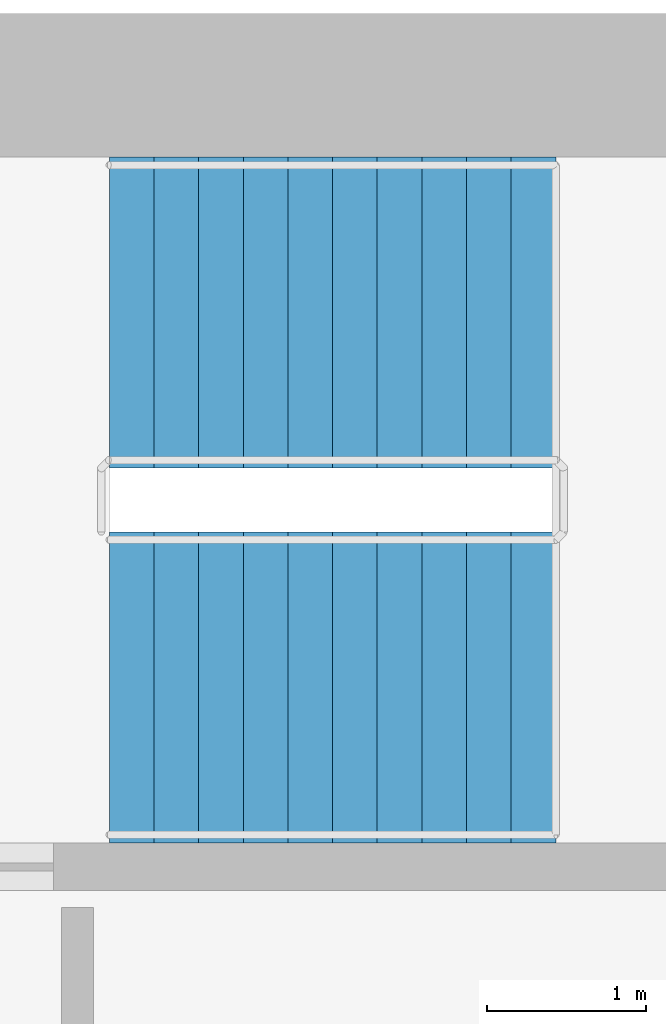
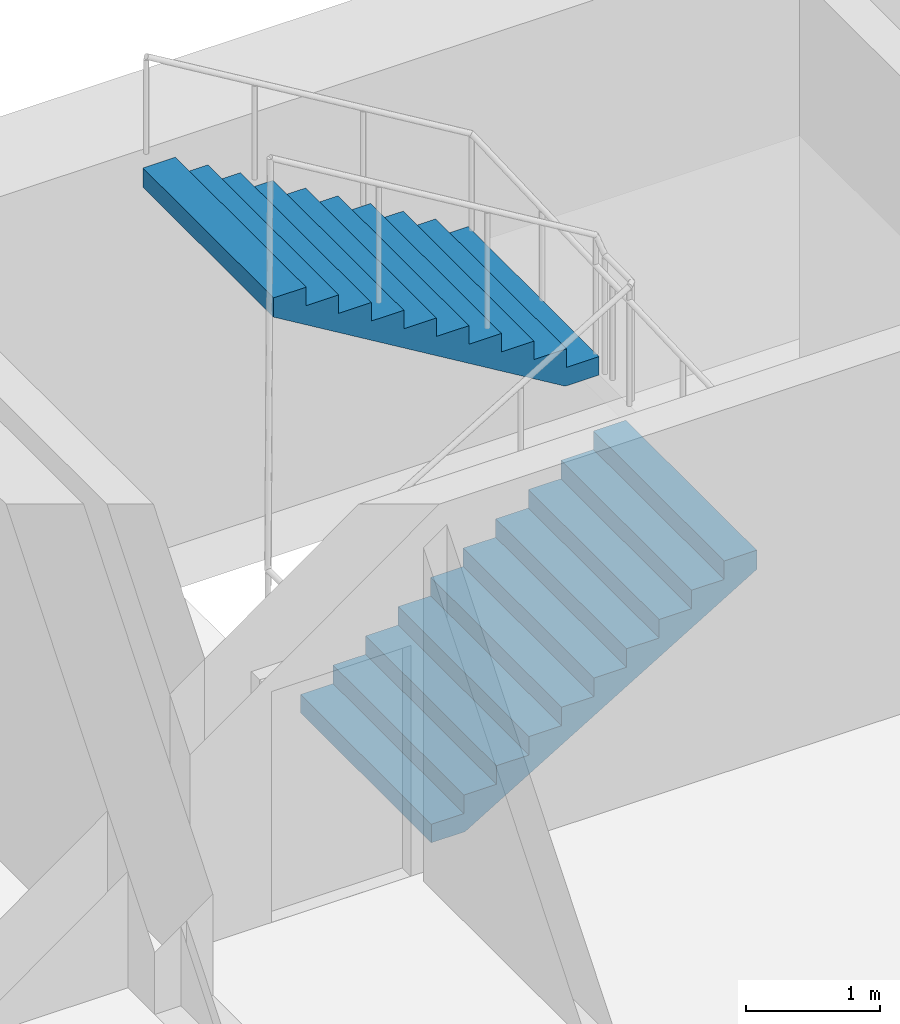
# One storey, part 13 of 17: 2 stair flights, 1 element without a shape of its own.
"""IFC4 building model written with IfcOpenShell, lengths in metres."""

import ifcopenshell
import ifcopenshell.guid

model = None  # the IFC model being written
_history = None  # IfcOwnerHistory: only IFC2X3 demands one
_inside = {}  # id of a spatial element -> (the spatial element, [elements in it])
_under = {}  # id of a project, library or spatial element -> (it, [spatial elements below it])
_declared = {}  # id of a project -> (the project, [libraries it declares])
_typed = {}  # id of a type object -> (the type object, [elements of that type])
_made_of = {}  # id of a material, layer set ... -> (it, [elements and type objects made of it])


def new_model(schema):
    """Start an empty IFC model of exactly this schema.

    Asked for "IFC4X3", IfcOpenShell would pick the latest addendum, in which some entities
    have other attributes; the version numbers below select the first issue.
    IFC2X3 requires an IfcOwnerHistory on every rooted entity: one is made here for all.
    """
    global model, _history
    if schema == "IFC4X3":
        model = ifcopenshell.file(schema_version=(4, 3, 0, 0))
    else:
        model = ifcopenshell.file(schema=schema)
    _inside.clear()
    _under.clear()
    _declared.clear()
    _typed.clear()
    _made_of.clear()
    _history = None
    if model.schema == "IFC2X3":
        org = make("IfcOrganization", Name="unknown")
        user = make(
            "IfcPersonAndOrganization",
            ThePerson=make("IfcPerson", FamilyName="unknown"),
            TheOrganization=org,
        )
        app = make(
            "IfcApplication",
            ApplicationDeveloper=org,
            Version="unknown",
            ApplicationFullName="unknown",
            ApplicationIdentifier="unknown",
        )
        _history = make(
            "IfcOwnerHistory",
            OwningUser=user,
            OwningApplication=app,
            ChangeAction="ADDED",
            CreationDate=0,
        )
    return model


def make(cls, **values):
    """One entity of the class cls with the attributes given. An attribute that is None is left unset."""
    return model.create_entity(
        cls, **{name: value for name, value in values.items() if value is not None}
    )


def rooted(cls, **values):
    """An entity with a GlobalId (a new one), such as an element, a storey or a relation."""
    return make(cls, GlobalId=ifcopenshell.guid.new(), OwnerHistory=_history, **values)


def si_unit(unit_type, name, prefix=None):
    """IfcSIUnit, for example si_unit("LENGTHUNIT", "METRE", prefix="MILLI")."""
    return make("IfcSIUnit", UnitType=unit_type, Prefix=prefix, Name=name)


def assignment(units):
    """IfcUnitAssignment: the units of a project."""
    return None if units is None else make("IfcUnitAssignment", Units=units)


def point(xyz):
    """IfcCartesianPoint."""
    return None if xyz is None else make("IfcCartesianPoint", Coordinates=xyz)


def direction(xyz):
    """IfcDirection."""
    return None if xyz is None else make("IfcDirection", DirectionRatios=xyz)


def frame(location, z_axis=None, x_axis=None):
    """IfcAxis2Placement3D, a coordinate frame: its origin and axes. An axis left out is left unset."""
    return make(
        "IfcAxis2Placement3D",
        Location=point(location),
        Axis=direction(z_axis),
        RefDirection=direction(x_axis),
    )


def origin():
    """The frame at (0, 0, 0) with its axes left unset."""
    return frame((0.0, 0.0, 0.0))


def place(relative_to, where):
    """IfcLocalPlacement: puts the frame where relative to a parent placement (None: the world)."""
    return make(
        "IfcLocalPlacement", PlacementRelTo=relative_to, RelativePlacement=where
    )


def context(
    kind, dimensions, precision=None, world=None, true_north=None, identifier=None
):
    """IfcGeometricRepresentationContext, for example the 3D "Model" context."""
    return make(
        "IfcGeometricRepresentationContext",
        ContextIdentifier=identifier,
        ContextType=kind,
        CoordinateSpaceDimension=dimensions,
        Precision=precision,
        WorldCoordinateSystem=world,
        TrueNorth=true_north,
    )


def subcontext(parent, identifier, kind, view, scale=None):
    """IfcGeometricRepresentationSubContext, for example "Body" below "Model"."""
    return make(
        "IfcGeometricRepresentationSubContext",
        ContextIdentifier=identifier,
        ContextType=kind,
        ParentContext=parent,
        TargetScale=scale,
        TargetView=view,
    )


def project(units=None, contexts=None):
    """IfcProject with its units and contexts."""
    return rooted(
        "IfcProject",
        Name="project",
        RepresentationContexts=contexts,
        UnitsInContext=assignment(units),
    )


def spatial(cls, under=None, at=None, **own):
    """A site, building, storey or space (cls), placed at a placement, below another one or the project."""
    s = rooted(cls, ObjectPlacement=at, **own)
    if under is not None:
        _under.setdefault(under.id(), (under, []))[1].append(s)
    return s


def polyline(points):
    """IfcPolyline through the points."""
    return make("IfcPolyline", Points=[point(p) for p in points])


def outline(outer, holes=None, kind="AREA"):
    """IfcArbitraryClosedProfileDef: a profile drawn as a closed curve; with holes, ...WithVoids."""
    if holes is None:
        return make("IfcArbitraryClosedProfileDef", ProfileType=kind, OuterCurve=outer)
    return make(
        "IfcArbitraryProfileDefWithVoids",
        ProfileType=kind,
        OuterCurve=outer,
        InnerCurves=holes,
    )


def extrude(swept, where, along, depth):
    """IfcExtrudedAreaSolid: the profile swept, set in the frame where, extruded along a direction by depth."""
    return make(
        "IfcExtrudedAreaSolid",
        SweptArea=swept,
        Position=where,
        ExtrudedDirection=direction(along),
        Depth=depth,
    )


def shape(context_of_items, identifier, shape_type, items):
    """IfcShapeRepresentation: the items that make up one representation, for example the "Body"."""
    return make(
        "IfcShapeRepresentation",
        ContextOfItems=context_of_items,
        RepresentationIdentifier=identifier,
        RepresentationType=shape_type,
        Items=items,
    )


def material(Name=None, Category=None):
    """IfcMaterial."""
    return make("IfcMaterial", Name=Name, Category=Category)


def made_of(thing, what):
    """Note that an element or type object is made of a material, layer set ...; save() writes the relation."""
    if what is not None:
        _made_of.setdefault(what.id(), (what, []))[1].append(thing)
    return thing


def type_object(cls, material=None, **own):
    """A type object (cls), such as IfcWallType, which elements share."""
    return made_of(rooted(cls, **own), material)


def element(
    cls,
    number,
    at=None,
    inside=None,
    cuts=None,
    type_object=None,
    material=None,
    context=None,
    identifier="Body",
    shape_type=None,
    held_by="IfcProductDefinitionShape",
    body=None,
    shapes=None,
    **own,
):
    """One element of the class cls, such as IfcWall. Its Tag is "e" and its number.

    at: its placement. inside: the storey or other place that contains it. cuts: it is an
    opening in that element (IfcRelVoidsElement). A single representation is given by context,
    identifier, shape_type and body (its items); several are given by shapes. held_by: the class
    of the entity that holds the representations. save() writes the other relations.
    """
    e = rooted(cls, Tag="e%d" % number, ObjectPlacement=at, **own)
    if body is not None:
        shapes = [shape(context, identifier, shape_type, body)]
    if shapes is not None:
        e.Representation = make(held_by, Representations=shapes)
    if inside is not None:
        _inside.setdefault(inside.id(), (inside, []))[1].append(e)
    if cuts is not None:
        rooted(
            "IfcRelVoidsElement", RelatingBuildingElement=cuts, RelatedOpeningElement=e
        )
    if type_object is not None:
        _typed.setdefault(type_object.id(), (type_object, []))[1].append(e)
    return made_of(e, material)


def aggregate(whole, parts):
    """IfcRelAggregates: a whole, such as a stair, and the parts it consists of."""
    return rooted("IfcRelAggregates", RelatingObject=whole, RelatedObjects=parts)


def save(model, path):
    """Write the relations noted so far, then the file.

    IfcRelAggregates (storeys below a building ...), IfcRelContainedInSpatialStructure (elements
    in a storey), IfcRelDefinesByType, IfcRelAssociatesMaterial and IfcRelDeclares: one each for
    every whole, place, type object, material and project.
    """
    for whole, parts in _under.values():
        aggregate(whole, parts)
    for where, things in _inside.values():
        rooted(
            "IfcRelContainedInSpatialStructure",
            RelatedElements=things,
            RelatingStructure=where,
        )
    for kind, things in _typed.values():
        rooted("IfcRelDefinesByType", RelatedObjects=things, RelatingType=kind)
    for what, things in _made_of.values():
        rooted("IfcRelAssociatesMaterial", RelatedObjects=things, RelatingMaterial=what)
    for by, libraries in _declared.values():
        rooted("IfcRelDeclares", RelatingContext=by, RelatedDefinitions=libraries)
    model.write(path)


model = new_model("IFC4")

# Units and contexts
model_context = context("Model", 3, precision=1e-05, world=origin(), true_north=direction((0.0, 1.0)))
body_context = subcontext(model_context, "Body", "Model", "MODEL_VIEW")
ifc_project = project(units=[si_unit("LENGTHUNIT", "METRE"), si_unit("AREAUNIT", "SQUARE_METRE"), si_unit("VOLUMEUNIT", "CUBIC_METRE"), si_unit("PLANEANGLEUNIT", "RADIAN"), si_unit("MASSUNIT", "GRAM", prefix="KILO")], contexts=[model_context])

# Site, building, storey
site_placement = place(None, origin())
site = spatial("IfcSite", under=ifc_project, at=site_placement, CompositionType="ELEMENT")
building_placement = place(site_placement, origin())
building = spatial("IfcBuilding", under=site, at=building_placement, Name="Hunhe Ridgeline Campus", CompositionType="ELEMENT")
storey_placement = place(building_placement, frame((0.0, 0.0, 193.89990234375)))
storey = spatial("IfcBuildingStorey", under=building, at=storey_placement, Name="L49", CompositionType="ELEMENT", Elevation=193.89990234375)

# Stair, stair flights
ifc_material = material(Name="Concrete C40", Category="concrete")
stair_type = type_object("IfcStairType", Name="Reinforced concrete dog-leg stair 1950 Concrete C40", PredefinedType="HALF_TURN_STAIR", material=ifc_material)
stair_placement = place(storey_placement, origin())
stair = element("IfcStair", 1, at=stair_placement, inside=storey, type_object=stair_type, Name="L49 E1", PredefinedType="HALF_TURN_STAIR")
stair_flight_type = type_object("IfcStairFlightType", Name="Reinforced concrete stair flight 1950 Concrete C40", PredefinedType="STRAIGHT", material=ifc_material)
stair_flight_1_placement = place(storey_placement, frame((38.39990234375, 94.77490234375, 0.0), z_axis=(0.0, 0.0, 1.0), x_axis=(1.0, 0.0, 0.0)))
stair_flight_1 = element("IfcStairFlight", 2, at=stair_flight_1_placement, type_object=stair_flight_type, Name="ST5 flight 1", NumberOfRisers=11, NumberOfTreads=10, PredefinedType="STRAIGHT", RiserHeight=0.168181818, TreadLength=0.28, context=body_context, shape_type="SweptSolid", body=[
    extrude(outline(polyline([(0.0, 0.0), (0.0, 0.168212890625), (0.280029296875, 0.168212890625), (0.280029296875, 0.33642578125), (0.56005859375, 0.33642578125), (0.56005859375, 0.504638671875), (0.840087890625, 0.504638671875), (0.840087890625, 0.672607421875), (1.1201171875, 0.672607421875), (1.1201171875, 0.8408203125), (1.39990234375, 0.8408203125), (1.39990234375, 1.009033203125), (1.679931640625, 1.009033203125), (1.679931640625, 1.17724609375), (1.9599609375, 1.17724609375), (1.9599609375, 1.345458984375), (2.239990234375, 1.345458984375), (2.239990234375, 1.513671875), (2.52001953125, 1.513671875), (2.52001953125, 1.681884765625), (2.800048828125, 1.681884765625), (2.800048828125, 1.85009765625), (2.800048828125, 1.5068359375), (0.291015625, 0.0), (0.0, 0.0)])), frame((0.0, 0.97509765625, 0.0), z_axis=(0.0, -1.0, 0.0), x_axis=(1.0, 0.0, 0.0)), (0.0, 0.0, 1.0), 1.949951171875),
    extrude(outline(polyline([(0.030029296875, 0.030029296875), (0.030029296875, 0.13818359375), (0.31005859375, 0.13818359375), (0.31005859375, 0.306396484375), (0.590087890625, 0.306396484375), (0.590087890625, 0.474609375), (0.8701171875, 0.474609375), (0.8701171875, 0.642578125), (1.14990234375, 0.642578125), (1.14990234375, 0.810791015625), (1.429931640625, 0.810791015625), (1.429931640625, 0.97900390625), (1.7099609375, 0.97900390625), (1.7099609375, 1.147216796875), (1.989990234375, 1.147216796875), (1.989990234375, 1.3154296875), (2.27001953125, 1.3154296875), (2.27001953125, 1.483642578125), (2.550048828125, 1.483642578125), (2.550048828125, 1.65185546875), (2.77001953125, 1.65185546875), (2.77001953125, 1.52392578125), (0.28271484375, 0.030029296875), (0.030029296875, 0.030029296875)])), frame((0.0, -0.070068359375, 0.0), z_axis=(0.0, -1.0, 0.0), x_axis=(1.0, 0.0, 0.0)), (0.0, 0.0, 1.0), 0.019775390625),
    extrude(outline(polyline([(0.030029296875, 0.030029296875), (0.030029296875, 0.13818359375), (0.31005859375, 0.13818359375), (0.31005859375, 0.306396484375), (0.590087890625, 0.306396484375), (0.590087890625, 0.474609375), (0.8701171875, 0.474609375), (0.8701171875, 0.642578125), (1.14990234375, 0.642578125), (1.14990234375, 0.810791015625), (1.429931640625, 0.810791015625), (1.429931640625, 0.97900390625), (1.7099609375, 0.97900390625), (1.7099609375, 1.147216796875), (1.989990234375, 1.147216796875), (1.989990234375, 1.3154296875), (2.27001953125, 1.3154296875), (2.27001953125, 1.483642578125), (2.550048828125, 1.483642578125), (2.550048828125, 1.65185546875), (2.77001953125, 1.65185546875), (2.77001953125, 1.52392578125), (0.28271484375, 0.030029296875), (0.030029296875, 0.030029296875)])), frame((0.0, 0.010009765625, 0.0), z_axis=(0.0, -1.0, 0.0), x_axis=(1.0, 0.0, 0.0)), (0.0, 0.0, 1.0), 0.019775390625),
    extrude(outline(polyline([(0.030029296875, 0.030029296875), (0.030029296875, 0.13818359375), (0.31005859375, 0.13818359375), (0.31005859375, 0.306396484375), (0.590087890625, 0.306396484375), (0.590087890625, 0.474609375), (0.8701171875, 0.474609375), (0.8701171875, 0.642578125), (1.14990234375, 0.642578125), (1.14990234375, 0.810791015625), (1.429931640625, 0.810791015625), (1.429931640625, 0.97900390625), (1.7099609375, 0.97900390625), (1.7099609375, 1.147216796875), (1.989990234375, 1.147216796875), (1.989990234375, 1.3154296875), (2.27001953125, 1.3154296875), (2.27001953125, 1.483642578125), (2.550048828125, 1.483642578125), (2.550048828125, 1.65185546875), (2.77001953125, 1.65185546875), (2.77001953125, 1.52392578125), (0.28271484375, 0.030029296875), (0.030029296875, 0.030029296875)])), frame((0.0, 0.090087890625, 0.0), z_axis=(0.0, -1.0, 0.0), x_axis=(1.0, 0.0, 0.0)), (0.0, 0.0, 1.0), 0.019775390625),
])
stair_flight_2_placement = place(storey_placement, frame((41.199951171875, 97.125, 1.85009765625), z_axis=(0.0, 0.0, 1.0), x_axis=(-1.0, 0.0, 0.0)))
stair_flight_2 = element("IfcStairFlight", 3, at=stair_flight_2_placement, type_object=stair_flight_type, Name="ST5 flight 2", NumberOfRisers=11, NumberOfTreads=10, PredefinedType="STRAIGHT", RiserHeight=0.168181818, TreadLength=0.28, context=body_context, shape_type="SweptSolid", body=[
    extrude(outline(polyline([(0.0, 0.0), (0.0, 0.168212890625), (0.280029296875, 0.168212890625), (0.280029296875, 0.33642578125), (0.56005859375, 0.33642578125), (0.56005859375, 0.504638671875), (0.840087890625, 0.504638671875), (0.840087890625, 0.672607421875), (1.1201171875, 0.672607421875), (1.1201171875, 0.8408203125), (1.39990234375, 0.8408203125), (1.39990234375, 1.009033203125), (1.679931640625, 1.009033203125), (1.679931640625, 1.17724609375), (1.9599609375, 1.17724609375), (1.9599609375, 1.345458984375), (2.239990234375, 1.345458984375), (2.239990234375, 1.513671875), (2.52001953125, 1.513671875), (2.52001953125, 1.681884765625), (2.800048828125, 1.681884765625), (2.800048828125, 1.85009765625), (2.800048828125, 1.5068359375), (0.291015625, 0.0), (0.0, 0.0)])), frame((0.0, 0.97509765625, 0.0), z_axis=(0.0, -1.0, 0.0), x_axis=(1.0, 0.0, 0.0)), (0.0, 0.0, 1.0), 1.949951171875),
    extrude(outline(polyline([(0.030029296875, 0.030029296875), (0.030029296875, 0.13818359375), (0.31005859375, 0.13818359375), (0.31005859375, 0.306396484375), (0.590087890625, 0.306396484375), (0.590087890625, 0.474609375), (0.8701171875, 0.474609375), (0.8701171875, 0.642578125), (1.14990234375, 0.642578125), (1.14990234375, 0.810791015625), (1.429931640625, 0.810791015625), (1.429931640625, 0.97900390625), (1.7099609375, 0.97900390625), (1.7099609375, 1.147216796875), (1.989990234375, 1.147216796875), (1.989990234375, 1.3154296875), (2.27001953125, 1.3154296875), (2.27001953125, 1.483642578125), (2.550048828125, 1.483642578125), (2.550048828125, 1.65185546875), (2.77001953125, 1.65185546875), (2.77001953125, 1.52392578125), (0.28271484375, 0.030029296875), (0.030029296875, 0.030029296875)])), frame((0.0, -0.070068359375, 0.0), z_axis=(0.0, -1.0, 0.0), x_axis=(1.0, 0.0, 0.0)), (0.0, 0.0, 1.0), 0.019775390625),
    extrude(outline(polyline([(0.030029296875, 0.030029296875), (0.030029296875, 0.13818359375), (0.31005859375, 0.13818359375), (0.31005859375, 0.306396484375), (0.590087890625, 0.306396484375), (0.590087890625, 0.474609375), (0.8701171875, 0.474609375), (0.8701171875, 0.642578125), (1.14990234375, 0.642578125), (1.14990234375, 0.810791015625), (1.429931640625, 0.810791015625), (1.429931640625, 0.97900390625), (1.7099609375, 0.97900390625), (1.7099609375, 1.147216796875), (1.989990234375, 1.147216796875), (1.989990234375, 1.3154296875), (2.27001953125, 1.3154296875), (2.27001953125, 1.483642578125), (2.550048828125, 1.483642578125), (2.550048828125, 1.65185546875), (2.77001953125, 1.65185546875), (2.77001953125, 1.52392578125), (0.28271484375, 0.030029296875), (0.030029296875, 0.030029296875)])), frame((0.0, 0.010009765625, 0.0), z_axis=(0.0, -1.0, 0.0), x_axis=(1.0, 0.0, 0.0)), (0.0, 0.0, 1.0), 0.019775390625),
    extrude(outline(polyline([(0.030029296875, 0.030029296875), (0.030029296875, 0.13818359375), (0.31005859375, 0.13818359375), (0.31005859375, 0.306396484375), (0.590087890625, 0.306396484375), (0.590087890625, 0.474609375), (0.8701171875, 0.474609375), (0.8701171875, 0.642578125), (1.14990234375, 0.642578125), (1.14990234375, 0.810791015625), (1.429931640625, 0.810791015625), (1.429931640625, 0.97900390625), (1.7099609375, 0.97900390625), (1.7099609375, 1.147216796875), (1.989990234375, 1.147216796875), (1.989990234375, 1.3154296875), (2.27001953125, 1.3154296875), (2.27001953125, 1.483642578125), (2.550048828125, 1.483642578125), (2.550048828125, 1.65185546875), (2.77001953125, 1.65185546875), (2.77001953125, 1.52392578125), (0.28271484375, 0.030029296875), (0.030029296875, 0.030029296875)])), frame((0.0, 0.090087890625, 0.0), z_axis=(0.0, -1.0, 0.0), x_axis=(1.0, 0.0, 0.0)), (0.0, 0.0, 1.0), 0.019775390625),
])
aggregate(stair, [stair_flight_1, stair_flight_2])

save(model, "model.ifc")
